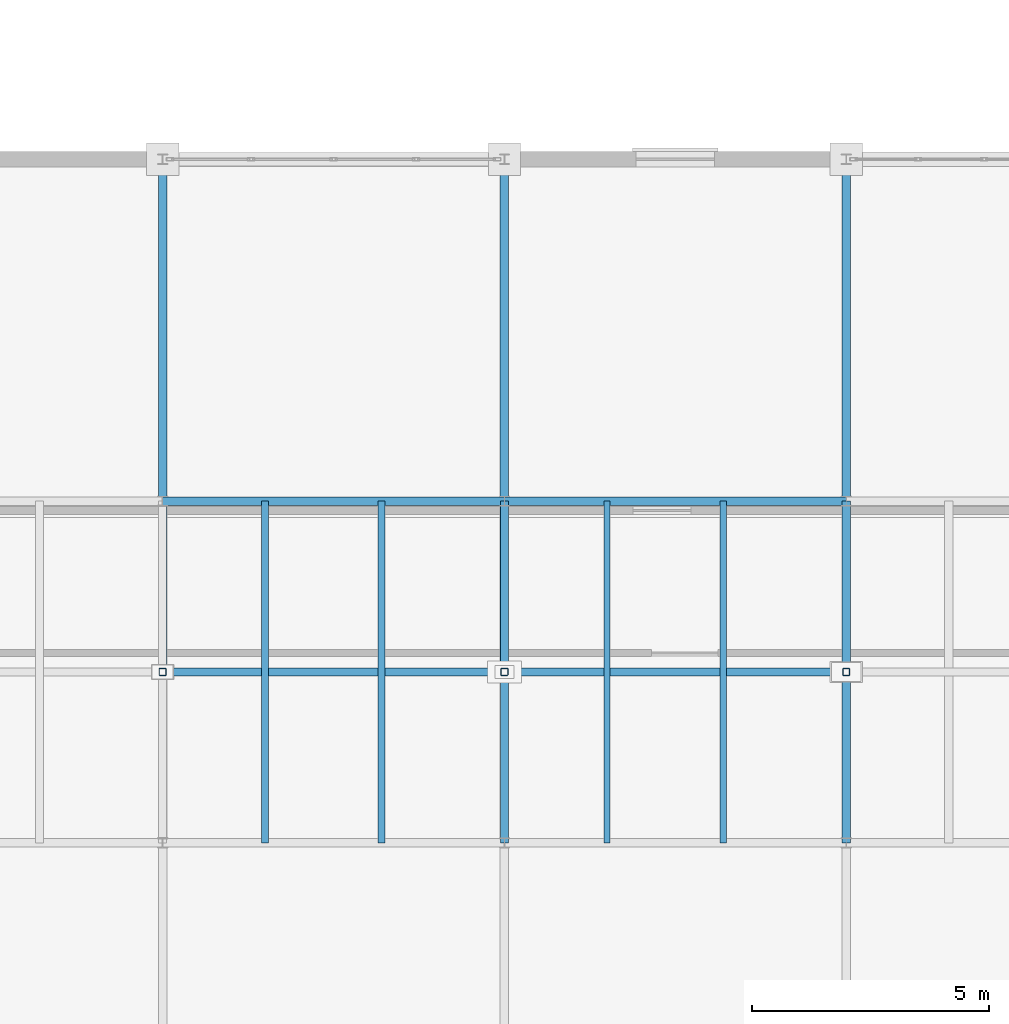
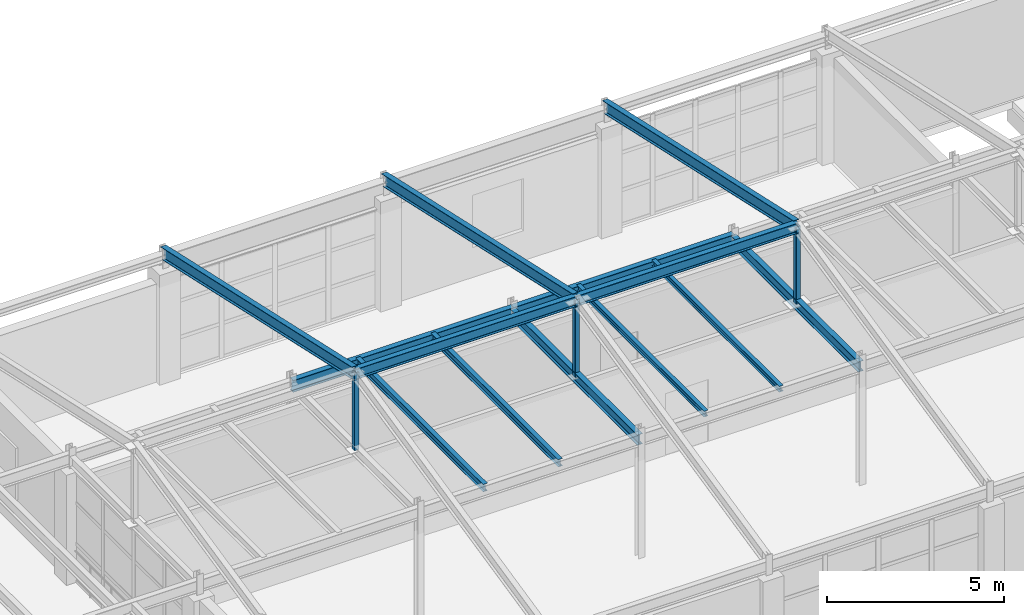
# One storey, part 54 of 101: 13 beams, 3 members.
"""IFC4 building model written with IfcOpenShell, lengths in metres."""

from ifc_helpers import new_model, si_unit, direction, frame, origin, origin_2d, place, context, subcontext, project, spatial, hollow_rectangle, i_section, extrude, material, material_profile, profile_set, type_object, element, save


model = new_model("IFC4")

# Units and contexts
model_context = context("Model", 3, precision=1e-05, world=origin(), true_north=direction((0.0, 1.0)))
body_context = subcontext(model_context, "Body", "Model", "MODEL_VIEW")
ifc_project = project(units=[si_unit("LENGTHUNIT", "METRE"), si_unit("AREAUNIT", "SQUARE_METRE"), si_unit("VOLUMEUNIT", "CUBIC_METRE"), si_unit("PLANEANGLEUNIT", "RADIAN"), si_unit("MASSUNIT", "GRAM", prefix="KILO")], contexts=[model_context])

# Site, building, storey
site_placement = place(None, origin())
site = spatial("IfcSite", under=ifc_project, at=site_placement, CompositionType="ELEMENT")
building_placement = place(site_placement, origin())
building = spatial("IfcBuilding", under=site, at=building_placement, Name="Kemerveld Promenade Tramway Depot", CompositionType="ELEMENT")
storey_placement = place(building_placement, frame((0.0, 0.0, 9.89990234375)))
storey = spatial("IfcBuildingStorey", under=building, at=storey_placement, Name="L02", CompositionType="ELEMENT", Elevation=9.89990234375)

# Beams
ifc_material = material(Name="Steel S355", Category="steel")
ifc_material_profile_1 = material_profile(ifc_material, i_section(OverallWidth=0.1787109375, OverallDepth=0.409423828125, WebThickness=0.0087890625, FlangeThickness=0.014404296875, FilletRadius=0.01025390625, at=origin_2d()), Name="406x178x67 UB")
ifc_profile_set_1 = profile_set([ifc_material_profile_1], Name="Steel S355")
beam_type_1 = type_object("IfcBeamType", Name="BM-G07", PredefinedType="BEAM", material=ifc_profile_set_1)
for number, where, z_axis, x_axis, name in (
    (1, (64.800048828125, 21.60009765625, 4.0703125), (1.0, 0.0, 0.0), (0.0, 1.0, 0.0), "BMX-L02-10-11-D"),
    (2, (72.0, 21.60009765625, 4.0703125), (1.0, 0.0, 0.0), (0.0, 1.0, 0.0), "BMX-L02-11-12-D"),
):
    element("IfcBeam", number, at=place(storey_placement, frame(where, z_axis=z_axis, x_axis=x_axis)), inside=storey, type_object=beam_type_1, Name=name, PredefinedType="BEAM", context=body_context, shape_type="SweptSolid", body=[
        extrude(i_section(OverallWidth=0.1787109375, OverallDepth=0.409423828125, WebThickness=0.0087890625, FlangeThickness=0.014404296875, FilletRadius=0.01025390625, at=origin_2d()), origin(), (0.0, 0.0, 1.0), 7.199951171875),
    ])
for number, where, z_axis, x_axis, name in (
    (3, (64.800048828125, 18.0, 6.67529296875), (0.0, 0.976189137057, -0.216921111677), (-1.0, 0.0, 0.0), "RAF-V4-10-N"),
    (4, (72.0, 18.0, 6.67529296875), (0.0, 0.976189137057, -0.216921111677), (-1.0, 0.0, 0.0), "RAF-V4-11-N"),
    (5, (79.199951171875, 18.0, 6.67529296875), (0.0, 0.976189137057, -0.216921111677), (-1.0, 0.0, 0.0), "RAF-V4-12-N"),
):
    element("IfcBeam", number, at=place(storey_placement, frame(where, z_axis=z_axis, x_axis=x_axis)), inside=storey, type_object=beam_type_1, Name=name, PredefinedType="BEAM", context=body_context, shape_type="SweptSolid", body=[
        extrude(i_section(OverallWidth=0.1787109375, OverallDepth=0.409423828125, WebThickness=0.0087890625, FlangeThickness=0.014404296875, FilletRadius=0.01025390625, at=origin_2d()), origin(), (0.0, 0.0, 1.0), 11.0634765625),
    ])
ifc_material_profile_2 = material_profile(ifc_material, i_section(OverallWidth=0.172119140625, OverallDepth=0.35791015625, WebThickness=0.008056640625, FlangeThickness=0.012939453125, FilletRadius=0.01025390625, at=origin_2d()), Name="356x171x57 UB")
ifc_profile_set_2 = profile_set([ifc_material_profile_2], Name="Steel S355")
beam_type_2 = type_object("IfcBeamType", Name="BM-G08", PredefinedType="BEAM", material=ifc_profile_set_2)
for number, where, z_axis, x_axis, name in (
    (6, (72.0, 14.39990234375, 4.041015625), (0.0, 1.0, 0.0), (-1.0, 0.0, 0.0), "BMY-L02-11-C-D"),
    (7, (79.199951171875, 14.39990234375, 4.041015625), (0.0, 1.0, 0.0), (-1.0, 0.0, 0.0), "BMY-L02-12-C-D"),
):
    element("IfcBeam", number, at=place(storey_placement, frame(where, z_axis=z_axis, x_axis=x_axis)), inside=storey, type_object=beam_type_2, Name=name, PredefinedType="BEAM", context=body_context, shape_type="SweptSolid", body=[
        extrude(i_section(OverallWidth=0.172119140625, OverallDepth=0.35791015625, WebThickness=0.008056640625, FlangeThickness=0.012939453125, FilletRadius=0.01025390625, at=origin_2d()), origin(), (0.0, 0.0, 1.0), 7.2001953125),
    ])
for number, where, z_axis, x_axis, name in (
    (8, (64.800048828125, 18.0, 6.67529296875), (1.0, 0.0, 0.0), (0.0, 1.0, 0.0), "BM-RDG-V4-2"),
    (9, (72.0, 18.0, 6.67529296875), (1.0, 0.0, 0.0), (0.0, 1.0, 0.0), "BM-RDG-V4-3"),
):
    element("IfcBeam", number, at=place(storey_placement, frame(where, z_axis=z_axis, x_axis=x_axis)), inside=storey, type_object=beam_type_2, Name=name, PredefinedType="BEAM", context=body_context, shape_type="SweptSolid", body=[
        extrude(i_section(OverallWidth=0.172119140625, OverallDepth=0.35791015625, WebThickness=0.008056640625, FlangeThickness=0.012939453125, FilletRadius=0.01025390625, at=origin_2d()), origin(), (0.0, 0.0, 1.0), 7.199951171875),
    ])
ifc_material_profile_3 = material_profile(ifc_material, i_section(OverallWidth=0.146484375, OverallDepth=0.256103515625, WebThickness=0.00634765625, FlangeThickness=0.010986328125, FilletRadius=0.007568359375, at=origin_2d()), Name="254x146x37 UB")
ifc_profile_set_3 = profile_set([ifc_material_profile_3], Name="Steel S355")
beam_type_3 = type_object("IfcBeamType", Name="BM-J02", PredefinedType="JOIST", material=ifc_profile_set_3)
for number, where, z_axis, x_axis, name in (
    (10, (66.9599609375, 14.39990234375, 4.147216796875), (0.0, 1.0, 0.0), (-1.0, 0.0, 0.0), "JST-L02-10-C-1"),
    (11, (69.407958984375, 14.39990234375, 4.147216796875), (0.0, 1.0, 0.0), (-1.0, 0.0, 0.0), "JST-L02-10-C-2"),
):
    element("IfcBeam", number, at=place(storey_placement, frame(where, z_axis=z_axis, x_axis=x_axis)), inside=storey, type_object=beam_type_3, Name=name, PredefinedType="JOIST", context=body_context, shape_type="SweptSolid", body=[
        extrude(i_section(OverallWidth=0.146484375, OverallDepth=0.256103515625, WebThickness=0.00634765625, FlangeThickness=0.010986328125, FilletRadius=0.007568359375, at=origin_2d()), origin(), (0.0, 0.0, 1.0), 7.2001953125),
    ])
ifc_material_profile_4 = material_profile(ifc_material, i_section(OverallWidth=0.13330078125, OverallDepth=0.203125, WebThickness=0.005615234375, FlangeThickness=0.0078125, FilletRadius=0.007568359375, at=origin_2d()), Name="203x133x25 UB")
ifc_profile_set_4 = profile_set([ifc_material_profile_4], Name="Steel S355")
beam_type_4 = type_object("IfcBeamType", Name="BM-J03", PredefinedType="JOIST", material=ifc_profile_set_4)
for number, where, z_axis, x_axis, name in (
    (12, (74.159912109375, 14.39990234375, 4.173583984375), (0.0, 1.0, 0.0), (-1.0, 0.0, 0.0), "JST-L02-11-C-1"),
    (13, (76.60791015625, 14.39990234375, 4.173583984375), (0.0, 1.0, 0.0), (-1.0, 0.0, 0.0), "JST-L02-11-C-2"),
):
    element("IfcBeam", number, at=place(storey_placement, frame(where, z_axis=z_axis, x_axis=x_axis)), inside=storey, type_object=beam_type_4, Name=name, PredefinedType="JOIST", context=body_context, shape_type="SweptSolid", body=[
        extrude(i_section(OverallWidth=0.13330078125, OverallDepth=0.203125, WebThickness=0.005615234375, FlangeThickness=0.0078125, FilletRadius=0.007568359375, at=origin_2d()), origin(), (0.0, 0.0, 1.0), 7.2001953125),
    ])

# Members
ifc_material_profile_5 = material_profile(ifc_material, hollow_rectangle(XDim=0.14990234375, YDim=0.14990234375, WallThickness=0.008056640625, InnerFilletRadius=0.00390625, OuterFilletRadius=0.011962890625, at=origin_2d()), Name="150x150x8.0 SHS")
ifc_profile_set_5 = profile_set([ifc_material_profile_5], Name="Steel S355")
member_type = type_object("IfcMemberType", Name="MB-TP2", PredefinedType="POST", material=ifc_profile_set_5)
for number, where, z_axis, x_axis, name in (
    (14, (64.800048828125, 18.0, 4.050048828125), (0.0, 0.0, 1.0), (1.0, 0.0, 0.0), "POST-RDG-V4-10"),
    (15, (72.0, 18.0, 4.050048828125), (0.0, 0.0, 1.0), (1.0, 0.0, 0.0), "POST-RDG-V4-11"),
    (16, (79.199951171875, 18.0, 4.050048828125), (0.0, 0.0, 1.0), (1.0, 0.0, 0.0), "POST-RDG-V4-12"),
):
    element("IfcMember", number, at=place(storey_placement, frame(where, z_axis=z_axis, x_axis=x_axis)), inside=storey, type_object=member_type, Name=name, PredefinedType="POST", context=body_context, shape_type="SweptSolid", body=[
        extrude(hollow_rectangle(XDim=0.14990234375, YDim=0.14990234375, WallThickness=0.008056640625, InnerFilletRadius=0.00390625, OuterFilletRadius=0.011962890625, at=origin_2d()), origin(), (0.0, 0.0, 1.0), 2.665283203125),
    ])

save(model, "model.ifc")
